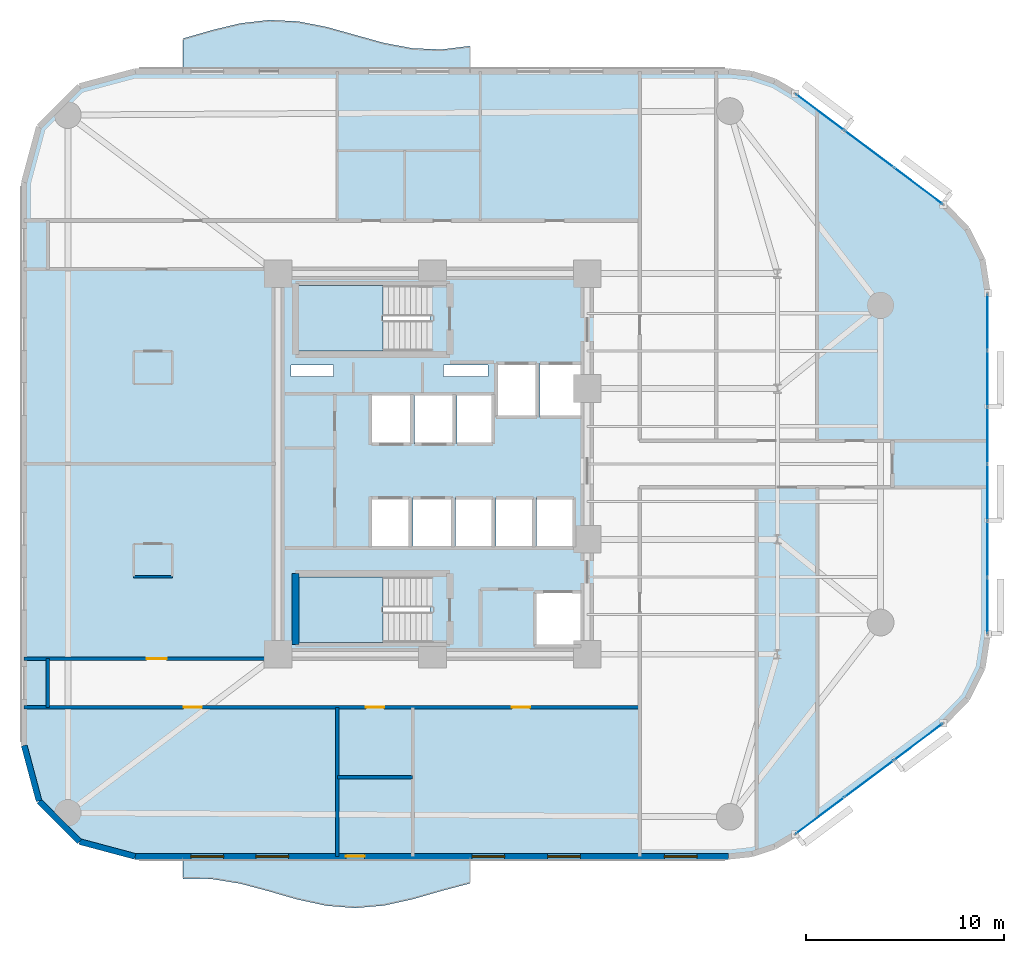
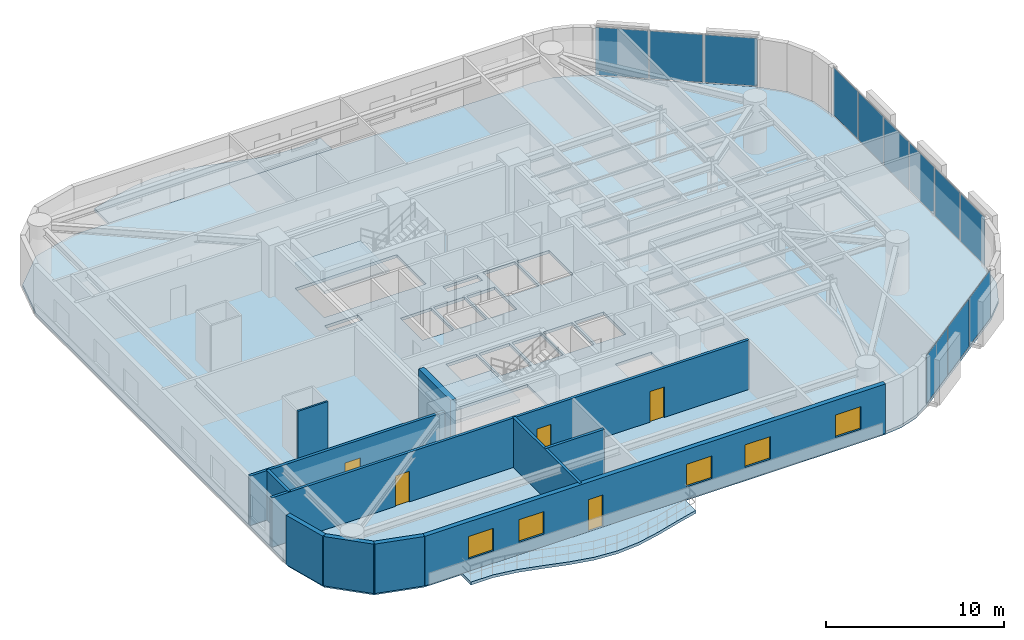
# One storey, part 9 of 16: 12 plates, 11 walls, 5 doors, 5 slabs, 5 windows, 10 openings, 5 elements without a shape of their own.
"""IFC4 building model written with IfcOpenShell, lengths in metres."""

from ifc_helpers import new_model, si_unit, direction, frame, frame_2d, origin, origin_2d, place, context, subcontext, project, spatial, polyline, rectangle, outline, extrude, material, layer, layer_set, type_object, element, fill, aggregate, save


model = new_model("IFC4")

# Units and contexts
model_context = context("Model", 3, precision=1e-05, world=origin(), true_north=direction((0.0, 1.0)))
body_context = subcontext(model_context, "Body", "Model", "MODEL_VIEW")
ifc_project = project(units=[si_unit("LENGTHUNIT", "METRE"), si_unit("AREAUNIT", "SQUARE_METRE"), si_unit("VOLUMEUNIT", "CUBIC_METRE"), si_unit("PLANEANGLEUNIT", "RADIAN"), si_unit("MASSUNIT", "GRAM", prefix="KILO")], contexts=[model_context])

# Site, building, storey
site_placement = place(None, origin())
site = spatial("IfcSite", under=ifc_project, at=site_placement, CompositionType="ELEMENT")
building_placement = place(site_placement, origin())
building = spatial("IfcBuilding", under=site, at=building_placement, Name="An Khanh Terracotta Commons", CompositionType="ELEMENT")
storey_placement = place(building_placement, frame((0.0, 0.0, 111.5)))
storey = spatial("IfcBuildingStorey", under=building, at=storey_placement, Name="L29", CompositionType="ELEMENT", Elevation=111.5)

# Curtain wall, plates
ifc_material_1 = material(Name="Anodised Aluminium 6063-T6", Category="aluminium")
ifc_layer_1 = layer(ifc_material_1, 0.199951171875, Name="Anodised Aluminium 6063-T6")
ifc_layer_set_1 = layer_set([ifc_layer_1], Name="Anodised Aluminium 6063-T6")
curtain_wall_type = type_object("IfcCurtainWallType", Name="CW-SYS-02", PredefinedType="USERDEFINED", material=ifc_layer_set_1)
curtain_wall_1_placement = place(storey_placement, origin())
curtain_wall_1 = element("IfcCurtainWall", 1, at=curtain_wall_1_placement, inside=storey, type_object=curtain_wall_type, Name="L29 CW-02 Unitised Curtain Wall CW-L29-08", ObjectType="UNITISED CURTAIN WALL", PredefinedType="USERDEFINED")
ifc_material_2 = material(Name="Double Low-E Solar Control Glazing", Category="glass")
ifc_layer_2 = layer(ifc_material_2, 0.028076171875, Name="Double Low-E Solar Control Glazing")
ifc_layer_set_2 = layer_set([ifc_layer_2], Name="Double Low-E Solar Control Glazing")
plate_type = type_object("IfcPlateType", Name="CWP-IGU-28", PredefinedType="CURTAIN_PANEL", material=ifc_layer_set_2)
plate_1_placement = place(storey_placement, frame((48.951416015625, 6.263916015625, 0.06005859375), z_axis=(0.0, 0.0, 1.0), x_axis=(0.800012856594, 0.599982857492, 0.0)))
plate_1 = element("IfcPlate", 2, at=plate_1_placement, type_object=plate_type, Name="CW-02 panel 1.1", PredefinedType="CURTAIN_PANEL", context=body_context, shape_type="SweptSolid", body=[
    extrude(rectangle(XDim=3.006103515625, YDim=0.028076171875, at=origin_2d()), origin(), (0.0, 0.0, 1.0), 3.280029296875),
])
plate_2_placement = place(storey_placement, frame((51.426513671875, 8.1201171875, 0.06005859375), z_axis=(0.0, 0.0, 1.0), x_axis=(0.800012856594, 0.599982857492, 0.0)))
plate_2 = element("IfcPlate", 3, at=plate_2_placement, type_object=plate_type, Name="CW-02 panel 2.1", PredefinedType="CURTAIN_PANEL", context=body_context, shape_type="SweptSolid", body=[
    extrude(rectangle(XDim=3.041259765625, YDim=0.028076171875, at=origin_2d()), origin(), (0.0, 0.0, 1.0), 3.280029296875),
])
plate_3_placement = place(storey_placement, frame((53.901611328125, 9.97607421875, 0.06005859375), z_axis=(0.0, 0.0, 1.0), x_axis=(0.800012856594, 0.599982857492, 0.0)))
plate_3 = element("IfcPlate", 4, at=plate_3_placement, type_object=plate_type, Name="CW-02 panel 3.1", PredefinedType="CURTAIN_PANEL", context=body_context, shape_type="SweptSolid", body=[
    extrude(rectangle(XDim=3.006103515625, YDim=0.028076171875, at=origin_2d()), origin(), (0.0, 0.0, 1.0), 3.280029296875),
])
aggregate(curtain_wall_1, [plate_1, plate_2, plate_3])

curtain_wall_2_placement = place(storey_placement, origin())
curtain_wall_2 = element("IfcCurtainWall", 5, at=curtain_wall_2_placement, inside=storey, type_object=curtain_wall_type, Name="L29 CW-02 Unitised Curtain Wall CW-L29-12", ObjectType="UNITISED CURTAIN WALL", PredefinedType="USERDEFINED")
plate_4_placement = place(storey_placement, frame((57.39990234375, 16.850830078125, 0.06005859375), z_axis=(0.0, 0.0, 1.0), x_axis=(0.0, 1.0, 0.0)))
plate_4 = element("IfcPlate", 6, at=plate_4_placement, type_object=plate_type, Name="CW-02 panel 1.1", PredefinedType="CURTAIN_PANEL", context=body_context, shape_type="SweptSolid", body=[
    extrude(rectangle(XDim=2.76171875, YDim=0.028076171875, at=origin_2d()), origin(), (0.0, 0.0, 1.0), 3.280029296875),
])
plate_5_placement = place(storey_placement, frame((57.39990234375, 19.699951171875, 0.06005859375), z_axis=(0.0, 0.0, 1.0), x_axis=(0.0, 1.0, 0.0)))
plate_5 = element("IfcPlate", 7, at=plate_5_placement, type_object=plate_type, Name="CW-02 panel 2.1", PredefinedType="CURTAIN_PANEL", context=body_context, shape_type="SweptSolid", body=[
    extrude(rectangle(XDim=2.796630859375, YDim=0.028076171875, at=origin_2d()), origin(), (0.0, 0.0, 1.0), 3.280029296875),
])
plate_6_placement = place(storey_placement, frame((57.39990234375, 22.566650390625, 0.06005859375), z_axis=(0.0, 0.0, 1.0), x_axis=(0.0, 1.0, 0.0)))
plate_6 = element("IfcPlate", 8, at=plate_6_placement, type_object=plate_type, Name="CW-02 panel 3.1", PredefinedType="CURTAIN_PANEL", context=body_context, shape_type="SweptSolid", body=[
    extrude(rectangle(XDim=2.796630859375, YDim=0.028076171875, at=origin_2d()), origin(), (0.0, 0.0, 1.0), 3.280029296875),
])
plate_7_placement = place(storey_placement, frame((57.39990234375, 25.433349609375, 0.06005859375), z_axis=(0.0, 0.0, 1.0), x_axis=(0.0, 1.0, 0.0)))
plate_7 = element("IfcPlate", 9, at=plate_7_placement, type_object=plate_type, Name="CW-02 panel 4.1", PredefinedType="CURTAIN_PANEL", context=body_context, shape_type="SweptSolid", body=[
    extrude(rectangle(XDim=2.796630859375, YDim=0.028076171875, at=origin_2d()), origin(), (0.0, 0.0, 1.0), 3.280029296875),
])
plate_8_placement = place(storey_placement, frame((57.39990234375, 28.300048828125, 0.06005859375), z_axis=(0.0, 0.0, 1.0), x_axis=(0.0, 1.0, 0.0)))
plate_8 = element("IfcPlate", 10, at=plate_8_placement, type_object=plate_type, Name="CW-02 panel 5.1", PredefinedType="CURTAIN_PANEL", context=body_context, shape_type="SweptSolid", body=[
    extrude(rectangle(XDim=2.796630859375, YDim=0.028076171875, at=origin_2d()), origin(), (0.0, 0.0, 1.0), 3.280029296875),
])
plate_9_placement = place(storey_placement, frame((57.39990234375, 31.149169921875, 0.06005859375), z_axis=(0.0, 0.0, 1.0), x_axis=(0.0, 1.0, 0.0)))
plate_9 = element("IfcPlate", 11, at=plate_9_placement, type_object=plate_type, Name="CW-02 panel 6.1", PredefinedType="CURTAIN_PANEL", context=body_context, shape_type="SweptSolid", body=[
    extrude(rectangle(XDim=2.76171875, YDim=0.028076171875, at=origin_2d()), origin(), (0.0, 0.0, 1.0), 3.280029296875),
])
aggregate(curtain_wall_2, [plate_4, plate_5, plate_6, plate_7, plate_8, plate_9])

curtain_wall_3_placement = place(storey_placement, origin())
curtain_wall_3 = element("IfcCurtainWall", 12, at=curtain_wall_3_placement, inside=storey, type_object=curtain_wall_type, Name="L29 CW-02 Unitised Curtain Wall CW-L29-16", ObjectType="UNITISED CURTAIN WALL", PredefinedType="USERDEFINED")
plate_10_placement = place(storey_placement, frame((53.901611328125, 38.02392578125, 0.06005859375), z_axis=(0.0, 0.0, 1.0), x_axis=(-0.800012856594, 0.599982857492, 0.0)))
plate_10 = element("IfcPlate", 13, at=plate_10_placement, type_object=plate_type, Name="CW-02 panel 1.1", PredefinedType="CURTAIN_PANEL", context=body_context, shape_type="SweptSolid", body=[
    extrude(rectangle(XDim=3.006103515625, YDim=0.028076171875, at=origin_2d()), origin(), (0.0, 0.0, 1.0), 3.280029296875),
])
plate_11_placement = place(storey_placement, frame((51.426513671875, 39.8798828125, 0.06005859375), z_axis=(0.0, 0.0, 1.0), x_axis=(-0.800012856594, 0.599982857492, 0.0)))
plate_11 = element("IfcPlate", 14, at=plate_11_placement, type_object=plate_type, Name="CW-02 panel 2.1", PredefinedType="CURTAIN_PANEL", context=body_context, shape_type="SweptSolid", body=[
    extrude(rectangle(XDim=3.041259765625, YDim=0.028076171875, at=origin_2d()), origin(), (0.0, 0.0, 1.0), 3.280029296875),
])
plate_12_placement = place(storey_placement, frame((48.951416015625, 41.736083984375, 0.06005859375), z_axis=(0.0, 0.0, 1.0), x_axis=(-0.800012856594, 0.599982857492, 0.0)))
plate_12 = element("IfcPlate", 15, at=plate_12_placement, type_object=plate_type, Name="CW-02 panel 3.1", PredefinedType="CURTAIN_PANEL", context=body_context, shape_type="SweptSolid", body=[
    extrude(rectangle(XDim=3.006103515625, YDim=0.028076171875, at=origin_2d()), origin(), (0.0, 0.0, 1.0), 3.280029296875),
])
aggregate(curtain_wall_3, [plate_10, plate_11, plate_12])

# Slabs
ifc_material_3 = material(Name="Concrete C40/50", Category="concrete")
ifc_layer_3 = layer(ifc_material_3, 0.199951171875, Name="Concrete C40/50")
ifc_layer_set_3 = layer_set([ifc_layer_3], Name="Concrete C40/50")
slab_type_1 = type_object("IfcSlabType", Name="SLAB-BALC-200", PredefinedType="FLOOR", material=ifc_layer_set_3)
slab_1_placement = place(storey_placement, frame((0.0, 0.0, -0.199951171875)))
element("IfcSlab", 16, at=slab_1_placement, inside=storey, type_object=slab_type_1, Name="L29 S Sinusoidal Wave Balcony Slab", PredefinedType="FLOOR", context=body_context, shape_type="SweptSolid", body=[
    extrude(outline(polyline([(16.800048828125, 4.199951171875), (16.800048828125, 3.073974609375), (18.25, 3.06494140625), (19.699951171875, 2.830078125), (21.14990234375, 2.443115234375), (22.60009765625, 2.027099609375), (24.050048828125, 1.712890625), (25.5, 1.60009765625), (26.949951171875, 1.72412109375), (28.39990234375, 2.044921875), (29.85009765625, 2.4619140625), (31.300048828125, 2.844970703125), (31.300048828125, 4.199951171875), (16.800048828125, 4.199951171875)])), origin(), (0.0, 0.0, 1.0), 0.199951171875),
])
slab_2_placement = place(storey_placement, frame((0.0, 0.0, -0.199951171875)))
element("IfcSlab", 17, at=slab_2_placement, inside=storey, type_object=slab_type_1, Name="L29 N Sinusoidal Wave Balcony Slab", PredefinedType="FLOOR", context=body_context, shape_type="SweptSolid", body=[
    extrude(outline(polyline([(31.300048828125, 43.800048828125), (31.300048828125, 45.0859375), (29.85009765625, 44.907958984375), (28.39990234375, 44.965087890625), (26.949951171875, 45.237060546875), (25.5, 45.639892578125), (24.050048828125, 46.0458984375), (22.60009765625, 46.326904296875), (21.14990234375, 46.39404296875), (19.699951171875, 46.22705078125), (18.25, 45.876953125), (16.800048828125, 45.4560546875), (16.800048828125, 43.800048828125), (31.300048828125, 43.800048828125)])), origin(), (0.0, 0.0, 1.0), 0.199951171875),
])

# Stair, slab
ifc_material_4 = material(Name="Precast concrete C40/50", Category="concrete")
stair_type = type_object("IfcStairType", Name="STAIR-CORE-1550", PredefinedType="HALF_TURN_STAIR", material=ifc_material_4)
stair_1_placement = place(storey_placement, origin())
stair_1 = element("IfcStair", 18, at=stair_1_placement, inside=storey, type_object=stair_type, Name="L29 Core Smokeproof Exit Stair ST-01", PredefinedType="HALF_TURN_STAIR")
ifc_layer_4 = layer(ifc_material_3, 0.18994140625, Name="Concrete C40/50")
ifc_layer_set_4 = layer_set([ifc_layer_4], Name="Concrete C40/50")
slab_type_2 = type_object("IfcSlabType", Name="SLAB-LANDING-190", PredefinedType="LANDING", material=ifc_layer_set_4)
slab_3_placement = place(storey_placement, frame((0.0, 0.0, 1.60009765625)))
slab_3 = element("IfcSlab", 19, at=slab_3_placement, type_object=slab_type_2, Name="ST-01 landing 1", PredefinedType="LANDING", context=body_context, shape_type="SweptSolid", body=[
    extrude(outline(polyline([(26.889892578125, 33.0), (22.64990234375, 33.0), (22.64990234375, 29.699951171875), (26.889892578125, 29.699951171875), (26.889892578125, 33.0)])), origin(), (0.0, 0.0, 1.0), 0.199951171875),
])
aggregate(stair_1, [slab_3])

stair_2_placement = place(storey_placement, origin())
stair_2 = element("IfcStair", 20, at=stair_2_placement, inside=storey, type_object=stair_type, Name="L29 Core Smokeproof Exit Stair ST-02", PredefinedType="HALF_TURN_STAIR")
slab_4_placement = place(storey_placement, frame((0.0, 0.0, 1.60009765625)))
slab_4 = element("IfcSlab", 21, at=slab_4_placement, type_object=slab_type_2, Name="ST-02 landing 1", PredefinedType="LANDING", context=body_context, shape_type="SweptSolid", body=[
    extrude(outline(polyline([(26.889892578125, 18.300048828125), (22.64990234375, 18.300048828125), (22.64990234375, 15.0), (26.889892578125, 15.0), (26.889892578125, 18.300048828125)])), origin(), (0.0, 0.0, 1.0), 0.199951171875),
])
aggregate(stair_2, [slab_4])

# Slab
ifc_layer_5 = layer(ifc_material_3, 0.199951171875, Name="Concrete C40/50")
ifc_layer_set_5 = layer_set([ifc_layer_5], Name="Concrete C40/50")
slab_type_3 = type_object("IfcSlabType", Name="SLAB-TYP-200", PredefinedType="FLOOR", material=ifc_layer_set_5)
slab_5_placement = place(storey_placement, frame((0.0, 0.0, -0.199951171875)))
element("IfcSlab", 22, at=slab_5_placement, inside=storey, type_object=slab_type_3, Name="L29 Structural Floor Slab", PredefinedType="FLOOR", context=body_context, shape_type="SweptSolid", body=[
    extrude(outline(polyline([(8.800048828125, 9.800048828125), (9.550048828125, 7.0), (11.60009765625, 4.949951171875), (14.39990234375, 4.199951171875), (44.3330078125, 4.199951171875), (45.52490234375, 4.327880859375), (46.6630859375, 4.70703125), (47.693115234375, 5.320068359375), (55.159912109375, 10.919921875), (56.364013671875, 12.154052734375), (57.135009765625, 13.696044921875), (57.39990234375, 15.39990234375), (57.39990234375, 32.60009765625), (57.135009765625, 34.303955078125), (56.364013671875, 35.845947265625), (55.159912109375, 37.080078125), (47.693115234375, 42.679931640625), (46.6630859375, 43.29296875), (45.52490234375, 43.672119140625), (44.3330078125, 43.800048828125), (14.39990234375, 43.800048828125), (11.60009765625, 43.050048828125), (9.550048828125, 41.0), (8.800048828125, 38.199951171875), (8.800048828125, 9.800048828125)]), holes=[polyline([(22.64990234375, 29.699951171875), (29.27001953125, 29.699951171875), (29.27001953125, 33.0), (22.64990234375, 33.0), (22.64990234375, 29.699951171875)]), polyline([(22.64990234375, 15.0), (29.27001953125, 15.0), (29.27001953125, 18.300048828125), (22.64990234375, 18.300048828125), (22.64990234375, 15.0)]), polyline([(32.60009765625, 26.35009765625), (34.679931640625, 26.35009765625), (34.679931640625, 29.080078125), (32.60009765625, 29.080078125), (32.60009765625, 26.35009765625)]), polyline([(34.820068359375, 26.35009765625), (36.89990234375, 26.35009765625), (36.89990234375, 29.080078125), (34.820068359375, 29.080078125), (34.820068359375, 26.35009765625)]), polyline([(34.550048828125, 14.800048828125), (36.89990234375, 14.800048828125), (36.89990234375, 17.550048828125), (34.550048828125, 17.550048828125), (34.550048828125, 14.800048828125)]), polyline([(26.320068359375, 25.0), (28.340087890625, 25.0), (28.340087890625, 27.5), (26.320068359375, 27.5), (26.320068359375, 25.0)]), polyline([(28.47998046875, 25.0), (30.5, 25.0), (30.5, 27.5), (28.47998046875, 27.5), (28.47998046875, 25.0)]), polyline([(26.280029296875, 19.800048828125), (28.280029296875, 19.800048828125), (28.280029296875, 22.300048828125), (26.280029296875, 22.300048828125), (26.280029296875, 19.800048828125)]), polyline([(28.419921875, 19.800048828125), (30.419921875, 19.800048828125), (30.419921875, 22.300048828125), (28.419921875, 22.300048828125), (28.419921875, 19.800048828125)]), polyline([(30.639892578125, 25.0), (32.4599609375, 25.0), (32.4599609375, 27.5), (30.639892578125, 27.5), (30.639892578125, 25.0)]), polyline([(30.56005859375, 19.800048828125), (32.4599609375, 19.800048828125), (32.4599609375, 22.300048828125), (30.56005859375, 22.300048828125), (30.56005859375, 19.800048828125)]), polyline([(32.60009765625, 19.800048828125), (34.5, 19.800048828125), (34.5, 22.300048828125), (32.60009765625, 22.300048828125), (32.60009765625, 19.800048828125)]), polyline([(34.639892578125, 19.800048828125), (36.5400390625, 19.800048828125), (36.5400390625, 22.300048828125), (34.639892578125, 22.300048828125), (34.639892578125, 19.800048828125)]), polyline([(22.25, 28.419921875), (24.39990234375, 28.419921875), (24.39990234375, 28.97998046875), (22.25, 28.97998046875), (22.25, 28.419921875)]), polyline([(29.949951171875, 28.419921875), (32.199951171875, 28.419921875), (32.199951171875, 28.97998046875), (29.949951171875, 28.97998046875), (29.949951171875, 28.419921875)])]), origin(), (0.0, 0.0, 1.0), 0.199951171875),
])

# Wall
ifc_material_5 = material(Name="Fire-Rated Gypsum Board on Steel Stud", Category="steel")
ifc_layer_6 = layer(ifc_material_5, 0.179931640625, Name="Fire-Rated Gypsum Board on Steel Stud")
ifc_layer_set_6 = layer_set([ifc_layer_6], Name="Fire-Rated Gypsum Board on Steel Stud")
wall_type_1 = type_object("IfcWallType", Name="WALL-CORR-180", PredefinedType="PARTITIONING", material=ifc_layer_set_6)
wall_1_placement = place(storey_placement, frame((24.60009765625, 8.199951171875, 0.0), z_axis=(0.0, 0.0, 1.0), x_axis=(1.0, 0.0, 0.0)))
element("IfcWall", 23, at=wall_1_placement, inside=storey, type_object=wall_type_1, Name="L29 Interior Partition IW-L29-E001", PredefinedType="PARTITIONING", context=body_context, shape_type="SweptSolid", body=[
    extrude(rectangle(XDim=3.7998046875, YDim=0.179931640625, at=frame_2d((1.89990234375, 0.0))), origin(), (0.0, 0.0, 1.0), 3.39990234375),
])

# Wall, openings, doors
wall_2_placement = place(storey_placement, frame((8.800048828125, 11.719970703125, 0.0), z_axis=(0.0, 0.0, 1.0), x_axis=(1.0, 0.0, 0.0)))
wall_2 = element("IfcWall", 24, at=wall_2_placement, inside=storey, type_object=wall_type_1, Name="L29 Interior Partition IW-L29-E002", PredefinedType="PARTITIONING", context=body_context, shape_type="SweptSolid", body=[
    extrude(rectangle(XDim=31.050048828125, YDim=0.179931640625, at=frame_2d((15.52490234375, 0.0))), origin(), (0.0, 0.0, 1.0), 3.39990234375),
])
opening_1_placement = place(wall_2_placement, frame((17.239990234375, 0.0, 0.0)))
opening_1 = element("IfcOpeningElement", 25, at=opening_1_placement, cuts=wall_2, Name="Opening D-RM", PredefinedType="OPENING", context=body_context, shape_type="SweptSolid", body=[
    extrude(rectangle(XDim=0.919921875, YDim=2.10009765625, at=frame_2d((0.4599609375, 1.050048828125))), frame((0.0, 0.099853515625, 0.0), z_axis=(0.0, -1.0, 0.0), x_axis=(1.0, 0.0, 0.0)), (0.0, 0.0, 1.0), 0.199951171875),
])
opening_2_placement = place(wall_2_placement, frame((8.0400390625, 0.0, 0.0)))
opening_2 = element("IfcOpeningElement", 26, at=opening_2_placement, cuts=wall_2, Name="Opening D-RM", PredefinedType="OPENING", context=body_context, shape_type="SweptSolid", body=[
    extrude(rectangle(XDim=0.919921875, YDim=2.10009765625, at=frame_2d((0.4599609375, 1.050048828125))), frame((0.0, 0.099853515625, 0.0), z_axis=(0.0, -1.0, 0.0), x_axis=(1.0, 0.0, 0.0)), (0.0, 0.0, 1.0), 0.199951171875),
])
opening_3_placement = place(wall_2_placement, frame((24.60498046875, 0.0, 0.0)))
opening_3 = element("IfcOpeningElement", 27, at=opening_3_placement, cuts=wall_2, Name="Opening D-RM", PredefinedType="OPENING", context=body_context, shape_type="SweptSolid", body=[
    extrude(rectangle(XDim=0.919921875, YDim=2.10009765625, at=frame_2d((0.4599609375, 1.050048828125))), frame((0.0, 0.099853515625, 0.0), z_axis=(0.0, -1.0, 0.0), x_axis=(1.0, 0.0, 0.0)), (0.0, 0.0, 1.0), 0.199951171875),
])
ifc_material_6 = material(Name="Engineered Hardwood Timber Leaf", Category="wood")
door_type_1 = type_object("IfcDoorType", Name="DOOR-INT-920", OperationType="NOTDEFINED", PredefinedType="DOOR", material=ifc_material_6)
door_1_placement = place(opening_1_placement, origin())
door_1 = element("IfcDoor", 28, at=door_1_placement, inside=storey, type_object=door_type_1, Name="L29 HKP Housekeeping Linen Store Door", OperationType="SINGLE_SWING_RIGHT", OverallHeight=2.10009765625, OverallWidth=0.919921875, PredefinedType="DOOR", context=body_context, shape_type="SweptSolid", body=[
    extrude(rectangle(XDim=0.919921875, YDim=2.10009765625, at=frame_2d((0.4599609375, 1.050048828125))), frame((0.0, 0.02490234375, 0.0), z_axis=(0.0, -1.0, 0.0), x_axis=(1.0, 0.0, 0.0)), (0.0, 0.0, 1.0), 0.050048828125),
])
fill(opening_1, door_1)
door_2_placement = place(opening_2_placement, origin())
door_2 = element("IfcDoor", 29, at=door_2_placement, inside=storey, type_object=door_type_1, Name="L29 SW1 Research Study Office Door", OperationType="SINGLE_SWING_RIGHT", OverallHeight=2.10009765625, OverallWidth=0.919921875, PredefinedType="DOOR", context=body_context, shape_type="SweptSolid", body=[
    extrude(rectangle(XDim=0.919921875, YDim=2.10009765625, at=frame_2d((0.4599609375, 1.050048828125))), frame((0.0, 0.02490234375, 0.0), z_axis=(0.0, -1.0, 0.0), x_axis=(1.0, 0.0, 0.0)), (0.0, 0.0, 1.0), 0.050048828125),
])
fill(opening_2, door_2)
door_3_placement = place(opening_3_placement, origin())
door_3 = element("IfcDoor", 30, at=door_3_placement, inside=storey, type_object=door_type_1, Name="L29 SWE Research Study Office Door", OperationType="SINGLE_SWING_LEFT", OverallHeight=2.10009765625, OverallWidth=0.919921875, PredefinedType="DOOR", context=body_context, shape_type="SweptSolid", body=[
    extrude(rectangle(XDim=0.919921875, YDim=2.10009765625, at=frame_2d((0.4599609375, 1.050048828125))), frame((0.0, 0.02490234375, 0.0), z_axis=(0.0, -1.0, 0.0), x_axis=(1.0, 0.0, 0.0)), (0.0, 0.0, 1.0), 0.050048828125),
])
fill(opening_3, door_3)

# Wall, opening, door
wall_3_placement = place(storey_placement, frame((8.800048828125, 14.179931640625, 0.0), z_axis=(0.0, 0.0, 1.0), x_axis=(1.0, 0.0, 0.0)))
wall_3 = element("IfcWall", 31, at=wall_3_placement, inside=storey, type_object=wall_type_1, Name="L29 Interior Partition IW-L29-E003", PredefinedType="PARTITIONING", context=body_context, shape_type="SweptSolid", body=[
    extrude(rectangle(XDim=12.679931640625, YDim=0.179931640625, at=frame_2d((6.33984375, 0.0))), origin(), (0.0, 0.0, 1.0), 3.39990234375),
])
opening_4_placement = place(wall_3_placement, frame((6.179931640625, 0.0, 0.0)))
opening_4 = element("IfcOpeningElement", 32, at=opening_4_placement, cuts=wall_3, Name="Opening D-UN", PredefinedType="OPENING", context=body_context, shape_type="SweptSolid", body=[
    extrude(rectangle(XDim=1.0, YDim=2.14990234375, at=frame_2d((0.5, 1.074951171875))), frame((0.0, 0.099853515625, 0.0), z_axis=(0.0, -1.0, 0.0), x_axis=(1.0, 0.0, 0.0)), (0.0, 0.0, 1.0), 0.199951171875),
])
ifc_material_7 = material(Name="Solid-Core Hardwood Acoustic Fire Door", Category="wood")
door_type_2 = type_object("IfcDoorType", Name="DOOR-UNIT-1000", OperationType="NOTDEFINED", PredefinedType="DOOR", material=ifc_material_7)
door_4_placement = place(opening_4_placement, origin())
door_4 = element("IfcDoor", 33, at=door_4_placement, inside=storey, type_object=door_type_2, Name="L29 WW1 Kitchenette and Studio Apartment Door", OperationType="SINGLE_SWING_RIGHT", OverallHeight=2.14990234375, OverallWidth=1.0, PredefinedType="DOOR", context=body_context, shape_type="SweptSolid", body=[
    extrude(rectangle(XDim=1.0, YDim=2.14990234375, at=frame_2d((0.5, 1.074951171875))), frame((0.0, 0.02490234375, 0.0), z_axis=(0.0, -1.0, 0.0), x_axis=(1.0, 0.0, 0.0)), (0.0, 0.0, 1.0), 0.050048828125),
])
fill(opening_4, door_4)

# Walls
wall_4_placement = place(storey_placement, frame((10.0, 11.719970703125, 0.0), z_axis=(0.0, 0.0, 1.0), x_axis=(0.0, 1.0, 0.0)))
element("IfcWall", 34, at=wall_4_placement, inside=storey, type_object=wall_type_1, Name="L29 Interior Partition IW-L29-E010", PredefinedType="PARTITIONING", context=body_context, shape_type="SweptSolid", body=[
    extrude(rectangle(XDim=2.4599609375, YDim=0.179931640625, at=frame_2d((1.22998046875, 0.0))), origin(), (0.0, 0.0, 1.0), 3.39990234375),
])
wall_5_placement = place(storey_placement, frame((24.60009765625, 4.199951171875, 0.0), z_axis=(0.0, 0.0, 1.0), x_axis=(0.0, 1.0, 0.0)))
element("IfcWall", 35, at=wall_5_placement, inside=storey, type_object=wall_type_1, Name="L29 Interior Partition IW-L29-E012", PredefinedType="PARTITIONING", context=body_context, shape_type="SweptSolid", body=[
    extrude(rectangle(XDim=7.52001953125, YDim=0.179931640625, at=frame_2d((3.760009765625, 0.0))), origin(), (0.0, 0.0, 1.0), 3.39990234375),
])
ifc_layer_7 = layer(ifc_material_4, 0.300048828125, Name="Precast concrete C40/50")
ifc_layer_set_7 = layer_set([ifc_layer_7], Name="Precast concrete C40/50")
wall_type_2 = type_object("IfcWallType", Name="WALL-EXT-300", PredefinedType="SOLIDWALL", material=ifc_layer_set_7)
wall_6_placement = place(storey_placement, frame((8.800048828125, 9.800048828125, 0.0), z_axis=(0.0, 0.0, 1.0), x_axis=(0.258731875344, -0.96594917914, 0.0)))
element("IfcWall", 36, at=wall_6_placement, inside=storey, type_object=wall_type_2, Name="L29 Insulated Terracotta Exterior Wall 1", PredefinedType="SOLIDWALL", context=body_context, shape_type="SweptSolid", body=[
    extrude(rectangle(XDim=2.898681640625, YDim=0.300048828125, at=frame_2d((1.44921875, 0.0))), origin(), (0.0, 0.0, 1.0), 3.39990234375),
])
wall_7_placement = place(storey_placement, frame((9.550048828125, 7.0, 0.0), z_axis=(0.0, 0.0, 1.0), x_axis=(0.707106781187, -0.707106781187, 0.0)))
element("IfcWall", 37, at=wall_7_placement, inside=storey, type_object=wall_type_2, Name="L29 Insulated Terracotta Exterior Wall 2", PredefinedType="SOLIDWALL", context=body_context, shape_type="SweptSolid", body=[
    extrude(rectangle(XDim=2.899169921875, YDim=0.300048828125, at=frame_2d((1.44970703125, 0.0))), origin(), (0.0, 0.0, 1.0), 3.39990234375),
])
wall_8_placement = place(storey_placement, frame((11.60009765625, 4.949951171875, 0.0), z_axis=(0.0, 0.0, 1.0), x_axis=(0.965943540406, -0.258752926066, 0.0)))
element("IfcWall", 38, at=wall_8_placement, inside=storey, type_object=wall_type_2, Name="L29 Insulated Terracotta Exterior Wall 3", PredefinedType="SOLIDWALL", context=body_context, shape_type="SweptSolid", body=[
    extrude(rectangle(XDim=2.8984375, YDim=0.300048828125, at=frame_2d((1.44921875, 0.0))), origin(), (0.0, 0.0, 1.0), 3.39990234375),
])

# Wall, openings, door, windows
wall_9_placement = place(storey_placement, frame((14.39990234375, 4.199951171875, 0.0), z_axis=(0.0, 0.0, 1.0), x_axis=(1.0, 0.0, 0.0)))
wall_9 = element("IfcWall", 39, at=wall_9_placement, inside=storey, type_object=wall_type_2, Name="L29 Insulated Terracotta Exterior Wall 4", PredefinedType="SOLIDWALL", context=body_context, shape_type="SweptSolid", body=[
    extrude(rectangle(XDim=29.93310546875, YDim=0.300048828125, at=frame_2d((14.966552734375, 0.0))), origin(), (0.0, 0.0, 1.0), 3.39990234375),
])
opening_5_placement = place(wall_9_placement, frame((10.625, 0.0, 0.0)))
opening_5 = element("IfcOpeningElement", 40, at=opening_5_placement, cuts=wall_9, Name="Opening D-BAL", PredefinedType="OPENING", context=body_context, shape_type="SweptSolid", body=[
    extrude(rectangle(XDim=0.949951171875, YDim=2.199951171875, at=frame_2d((0.47509765625, 1.10009765625))), frame((0.0, 0.159912109375, 0.0), z_axis=(0.0, -1.0, 0.0), x_axis=(1.0, 0.0, 0.0)), (0.0, 0.0, 1.0), 0.320068359375),
])
opening_6_placement = place(wall_9_placement, frame((2.80810546875, 0.0, 0.85009765625)))
opening_6 = element("IfcOpeningElement", 41, at=opening_6_placement, cuts=wall_9, Name="Opening W-02", PredefinedType="OPENING", context=body_context, shape_type="SweptSolid", body=[
    extrude(rectangle(XDim=1.64990234375, YDim=1.550048828125, at=frame_2d((0.824951171875, 0.77490234375))), frame((0.0, 0.159912109375, 0.0), z_axis=(0.0, -1.0, 0.0), x_axis=(1.0, 0.0, 0.0)), (0.0, 0.0, 1.0), 0.320068359375),
])
opening_7_placement = place(wall_9_placement, frame((6.092041015625, 0.0, 0.85009765625)))
opening_7 = element("IfcOpeningElement", 42, at=opening_7_placement, cuts=wall_9, Name="Opening W-02", PredefinedType="OPENING", context=body_context, shape_type="SweptSolid", body=[
    extrude(rectangle(XDim=1.64990234375, YDim=1.550048828125, at=frame_2d((0.824951171875, 0.77490234375))), frame((0.0, 0.159912109375, 0.0), z_axis=(0.0, -1.0, 0.0), x_axis=(1.0, 0.0, 0.0)), (0.0, 0.0, 1.0), 0.320068359375),
])
opening_8_placement = place(wall_9_placement, frame((16.991943359375, 0.0, 0.85009765625)))
opening_8 = element("IfcOpeningElement", 43, at=opening_8_placement, cuts=wall_9, Name="Opening W-02", PredefinedType="OPENING", context=body_context, shape_type="SweptSolid", body=[
    extrude(rectangle(XDim=1.64990234375, YDim=1.550048828125, at=frame_2d((0.824951171875, 0.77490234375))), frame((0.0, 0.159912109375, 0.0), z_axis=(0.0, -1.0, 0.0), x_axis=(1.0, 0.0, 0.0)), (0.0, 0.0, 1.0), 0.320068359375),
])
opening_9_placement = place(wall_9_placement, frame((20.80810546875, 0.0, 0.85009765625)))
opening_9 = element("IfcOpeningElement", 44, at=opening_9_placement, cuts=wall_9, Name="Opening W-02", PredefinedType="OPENING", context=body_context, shape_type="SweptSolid", body=[
    extrude(rectangle(XDim=1.64990234375, YDim=1.550048828125, at=frame_2d((0.824951171875, 0.77490234375))), frame((0.0, 0.159912109375, 0.0), z_axis=(0.0, -1.0, 0.0), x_axis=(1.0, 0.0, 0.0)), (0.0, 0.0, 1.0), 0.320068359375),
])
opening_10_placement = place(wall_9_placement, frame((26.69189453125, 0.0, 0.85009765625)))
opening_10 = element("IfcOpeningElement", 45, at=opening_10_placement, cuts=wall_9, Name="Opening W-02", PredefinedType="OPENING", context=body_context, shape_type="SweptSolid", body=[
    extrude(rectangle(XDim=1.64990234375, YDim=1.550048828125, at=frame_2d((0.824951171875, 0.77490234375))), frame((0.0, 0.159912109375, 0.0), z_axis=(0.0, -1.0, 0.0), x_axis=(1.0, 0.0, 0.0)), (0.0, 0.0, 1.0), 0.320068359375),
])
ifc_material_8 = material(Name="Thermally Broken Aluminium and Low-E Glass", Category="aluminium")
door_type_3 = type_object("IfcDoorType", Name="DOOR-BALC-950", OperationType="NOTDEFINED", PredefinedType="DOOR", material=ifc_material_8)
door_5_placement = place(opening_5_placement, origin())
door_5 = element("IfcDoor", 46, at=door_5_placement, inside=storey, type_object=door_type_3, Name="L29 S Wave Balcony Glazed Door", OperationType="SINGLE_SWING_LEFT", OverallHeight=2.199951171875, OverallWidth=0.949951171875, PredefinedType="DOOR", context=body_context, shape_type="SweptSolid", body=[
    extrude(rectangle(XDim=0.949951171875, YDim=2.199951171875, at=frame_2d((0.47509765625, 1.10009765625))), frame((0.0, 0.02490234375, 0.0), z_axis=(0.0, -1.0, 0.0), x_axis=(1.0, 0.0, 0.0)), (0.0, 0.0, 1.0), 0.050048828125),
])
fill(opening_5, door_5)
window_type = type_object("IfcWindowType", Name="WIN-Z2-1650x1550", PartitioningType="DOUBLE_PANEL_VERTICAL", PredefinedType="WINDOW", material=ifc_material_8)
window_1_placement = place(opening_6_placement, origin())
window_1 = element("IfcWindow", 47, at=window_1_placement, inside=storey, type_object=window_type, Name="L29 Operable Casement Window 4.1", OverallHeight=1.550048828125, OverallWidth=1.64990234375, PartitioningType="DOUBLE_PANEL_VERTICAL", PredefinedType="WINDOW", context=body_context, shape_type="SweptSolid", body=[
    extrude(rectangle(XDim=1.64990234375, YDim=1.550048828125, at=frame_2d((0.824951171875, 0.77490234375))), frame((0.0, 0.030029296875, 0.0), z_axis=(0.0, -1.0, 0.0), x_axis=(1.0, 0.0, 0.0)), (0.0, 0.0, 1.0), 0.06005859375),
])
fill(opening_6, window_1)
window_2_placement = place(opening_7_placement, origin())
window_2 = element("IfcWindow", 48, at=window_2_placement, inside=storey, type_object=window_type, Name="L29 Operable Casement Window 4.2", OverallHeight=1.550048828125, OverallWidth=1.64990234375, PartitioningType="DOUBLE_PANEL_VERTICAL", PredefinedType="WINDOW", context=body_context, shape_type="SweptSolid", body=[
    extrude(rectangle(XDim=1.64990234375, YDim=1.550048828125, at=frame_2d((0.824951171875, 0.77490234375))), frame((0.0, 0.030029296875, 0.0), z_axis=(0.0, -1.0, 0.0), x_axis=(1.0, 0.0, 0.0)), (0.0, 0.0, 1.0), 0.06005859375),
])
fill(opening_7, window_2)
window_3_placement = place(opening_8_placement, origin())
window_3 = element("IfcWindow", 49, at=window_3_placement, inside=storey, type_object=window_type, Name="L29 Operable Casement Window 4.3", OverallHeight=1.550048828125, OverallWidth=1.64990234375, PartitioningType="DOUBLE_PANEL_VERTICAL", PredefinedType="WINDOW", context=body_context, shape_type="SweptSolid", body=[
    extrude(rectangle(XDim=1.64990234375, YDim=1.550048828125, at=frame_2d((0.824951171875, 0.77490234375))), frame((0.0, 0.030029296875, 0.0), z_axis=(0.0, -1.0, 0.0), x_axis=(1.0, 0.0, 0.0)), (0.0, 0.0, 1.0), 0.06005859375),
])
fill(opening_8, window_3)
window_4_placement = place(opening_9_placement, origin())
window_4 = element("IfcWindow", 50, at=window_4_placement, inside=storey, type_object=window_type, Name="L29 Operable Casement Window 4.4", OverallHeight=1.550048828125, OverallWidth=1.64990234375, PartitioningType="DOUBLE_PANEL_VERTICAL", PredefinedType="WINDOW", context=body_context, shape_type="SweptSolid", body=[
    extrude(rectangle(XDim=1.64990234375, YDim=1.550048828125, at=frame_2d((0.824951171875, 0.77490234375))), frame((0.0, 0.030029296875, 0.0), z_axis=(0.0, -1.0, 0.0), x_axis=(1.0, 0.0, 0.0)), (0.0, 0.0, 1.0), 0.06005859375),
])
fill(opening_9, window_4)
window_5_placement = place(opening_10_placement, origin())
window_5 = element("IfcWindow", 51, at=window_5_placement, inside=storey, type_object=window_type, Name="L29 Operable Casement Window 4.5", OverallHeight=1.550048828125, OverallWidth=1.64990234375, PartitioningType="DOUBLE_PANEL_VERTICAL", PredefinedType="WINDOW", context=body_context, shape_type="SweptSolid", body=[
    extrude(rectangle(XDim=1.64990234375, YDim=1.550048828125, at=frame_2d((0.824951171875, 0.77490234375))), frame((0.0, 0.030029296875, 0.0), z_axis=(0.0, -1.0, 0.0), x_axis=(1.0, 0.0, 0.0)), (0.0, 0.0, 1.0), 0.06005859375),
])
fill(opening_10, window_5)

# Walls
ifc_material_9 = material(Name="Concrete C50/60", Category="concrete")
ifc_layer_8 = layer(ifc_material_9, 0.35009765625, Name="Concrete C50/60")
ifc_layer_set_8 = layer_set([ifc_layer_8], Name="Concrete C50/60")
wall_type_3 = type_object("IfcWallType", Name="WALL-SHAFT-350", PredefinedType="SOLIDWALL", material=ifc_layer_set_8)
wall_10_placement = place(storey_placement, frame((22.47998046875, 14.889892578125, 0.0), z_axis=(0.0, 0.0, 1.0), x_axis=(0.0, 1.0, 0.0)))
element("IfcWall", 52, at=wall_10_placement, inside=storey, type_object=wall_type_3, Name="L29 Core Wall STW-L29-S-W", PredefinedType="SOLIDWALL", context=body_context, shape_type="SweptSolid", body=[
    extrude(rectangle(XDim=3.580078125, YDim=0.35009765625, at=frame_2d((1.7900390625, 0.0))), origin(), (0.0, 0.0, 1.0), 3.39990234375),
])
ifc_material_10 = material(Name="Moisture-Resistant Cement Board Partition")
ifc_layer_9 = layer(ifc_material_10, 0.1201171875, Name="Moisture-Resistant Cement Board Partition")
ifc_layer_set_9 = layer_set([ifc_layer_9], Name="Moisture-Resistant Cement Board Partition")
wall_type_4 = type_object("IfcWallType", Name="WALL-WET-120", PredefinedType="PARTITIONING", material=ifc_layer_set_9)
wall_11_placement = place(storey_placement, frame((16.27490234375, 18.31494140625, 0.0), z_axis=(0.0, 0.0, 1.0), x_axis=(-1.0, 0.0, 0.0)))
element("IfcWall", 53, at=wall_11_placement, inside=storey, type_object=wall_type_4, Name="L29 Interior Partition IW-L29-WW1-BS", PredefinedType="PARTITIONING", context=body_context, shape_type="SweptSolid", body=[
    extrude(rectangle(XDim=1.949951171875, YDim=0.1201171875, at=frame_2d((0.97509765625, 0.0))), origin(), (0.0, 0.0, 1.0), 3.39990234375),
])

save(model, "model.ifc")
